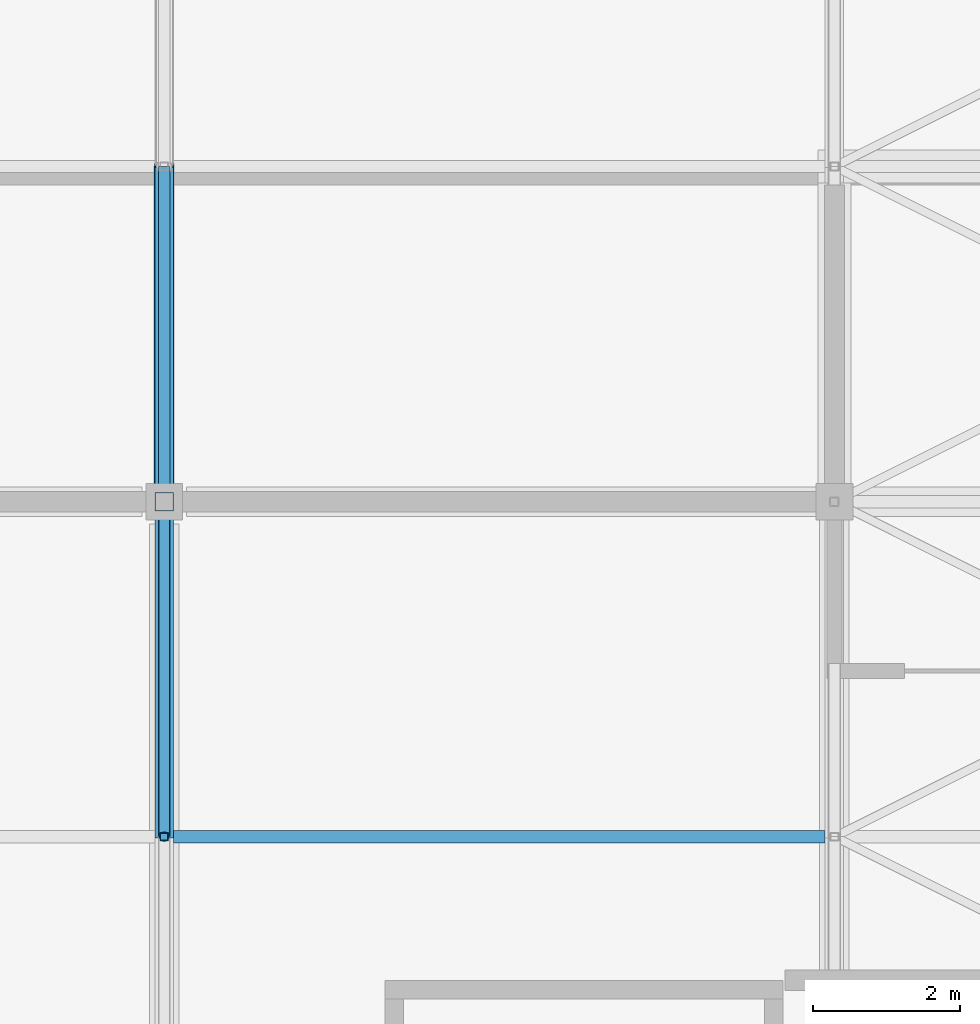
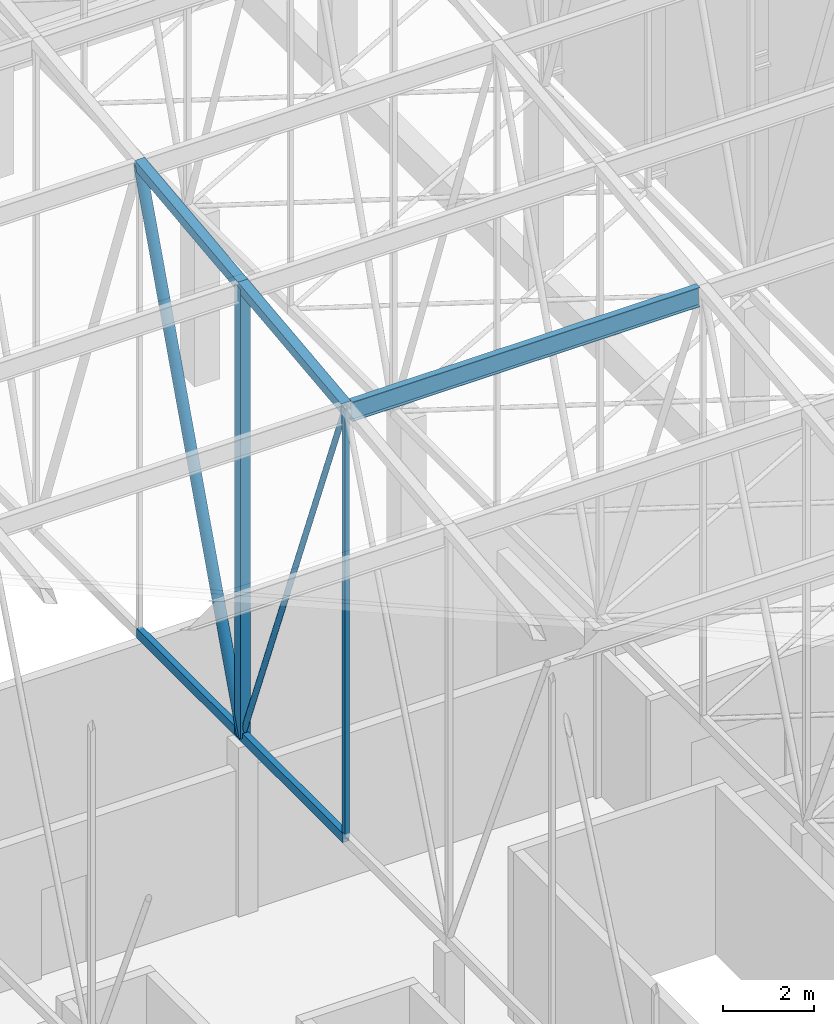
# One storey, part 351 of 500: 9 members.
"""IFC4 building model written with IfcOpenShell, lengths in metres."""

from ifc_helpers import new_model, si_unit, direction, frame, origin, origin_2d, place, context, subcontext, project, spatial, hollow_rectangle, hollow_circle, i_section, extrude, material, material_profile, profile_set, type_object, element, save


model = new_model("IFC4")

# Units and contexts
model_context = context("Model", 3, precision=1e-05, world=origin(), true_north=direction((0.0, 1.0)))
body_context = subcontext(model_context, "Body", "Model", "MODEL_VIEW")
ifc_project = project(units=[si_unit("LENGTHUNIT", "METRE"), si_unit("AREAUNIT", "SQUARE_METRE"), si_unit("VOLUMEUNIT", "CUBIC_METRE"), si_unit("PLANEANGLEUNIT", "RADIAN"), si_unit("MASSUNIT", "GRAM", prefix="KILO")], contexts=[model_context])

# Site, building, storey
site_placement = place(None, origin())
site = spatial("IfcSite", under=ifc_project, at=site_placement, CompositionType="ELEMENT")
building_placement = place(site_placement, origin())
building = spatial("IfcBuilding", under=site, at=building_placement, Name="Shirokan Park Arena", CompositionType="ELEMENT")
storey_placement = place(building_placement, frame((0.0, 0.0, 29.1201171875)))
storey = spatial("IfcBuildingStorey", under=building, at=storey_placement, Name="L06", CompositionType="ELEMENT", Elevation=29.1201171875)

# Members
ifc_material_1 = material(Name="Steel ASTM A500 Grade C", Category="steel")
ifc_material_profile_1 = material_profile(ifc_material_1, hollow_rectangle(XDim=0.152099609375, YDim=0.25390625, WallThickness=0.009521484375, at=origin_2d()), Name="HSS254X152.4X9.5")
ifc_profile_set_1 = profile_set([ifc_material_profile_1], Name="Steel ASTM A500 Grade C")
member_type_1 = type_object("IfcMemberType", Name="Bottom chord HSS254X152.4X9.5", PredefinedType="CHORD", material=ifc_profile_set_1)
member_1_placement = place(storey_placement, frame((127.39990234375, 31.85009765625, 4.677001953125), z_axis=(0.0, 1.0, 0.0), x_axis=(-1.0, 0.0, 0.0)))
element("IfcMember", 1, at=member_1_placement, inside=storey, type_object=member_type_1, Name="Truss T15 bottom chord 10", PredefinedType="CHORD", context=body_context, shape_type="SweptSolid", body=[
    extrude(hollow_rectangle(XDim=0.152099609375, YDim=0.25390625, WallThickness=0.009521484375, at=origin_2d()), origin(), (0.0, 0.0, 1.0), 4.5498046875),
])
member_2_placement = place(storey_placement, frame((127.39990234375, 36.39990234375, 4.677001953125), z_axis=(0.0, 1.0, 0.0), x_axis=(-1.0, 0.0, 0.0)))
element("IfcMember", 2, at=member_2_placement, inside=storey, type_object=member_type_1, Name="Truss T15 bottom chord 11", PredefinedType="CHORD", context=body_context, shape_type="SweptSolid", body=[
    extrude(hollow_rectangle(XDim=0.152099609375, YDim=0.25390625, WallThickness=0.009521484375, at=origin_2d()), origin(), (0.0, 0.0, 1.0), 4.550048828125),
])
ifc_material_2 = material(Name="Steel ASTM A992", Category="steel")
ifc_material_profile_2 = material_profile(ifc_material_2, i_section(OverallWidth=0.166015625, OverallDepth=0.528076171875, WebThickness=0.009765625, FlangeThickness=0.013671875, at=origin_2d()), Name="W530X74")
ifc_profile_set_2 = profile_set([ifc_material_profile_2], Name="Steel ASTM A992")
member_type_2 = type_object("IfcMemberType", Name="Purlin W530X74", PredefinedType="PURLIN", material=ifc_profile_set_2)
member_3_placement = place(storey_placement, frame((127.527099609375, 31.85009765625, 16.1259765625), z_axis=(1.0, 0.0, 0.0), x_axis=(0.0, 1.0, 0.0)))
element("IfcMember", 3, at=member_3_placement, inside=storey, type_object=member_type_2, Name="Purlin 10 bay 15", PredefinedType="PURLIN", context=body_context, shape_type="SweptSolid", body=[
    extrude(i_section(OverallWidth=0.166015625, OverallDepth=0.528076171875, WebThickness=0.009765625, FlangeThickness=0.013671875, at=origin_2d()), origin(), (0.0, 0.0, 1.0), 8.845947265625),
])
ifc_material_profile_3 = material_profile(ifc_material_1, hollow_rectangle(XDim=0.25390625, YDim=0.25390625, WallThickness=0.009521484375, at=origin_2d()), Name="HSS254X254X9.5")
ifc_profile_set_3 = profile_set([ifc_material_profile_3], Name="Steel ASTM A500 Grade C")
member_type_3 = type_object("IfcMemberType", Name="Top chord HSS254X254X9.5", PredefinedType="CHORD", material=ifc_profile_set_3)
member_4_placement = place(storey_placement, frame((127.39990234375, 31.85009765625, 16.262939453125), z_axis=(0.0, 0.993531641592, 0.11355561261), x_axis=(-1.0, 0.0, 0.0)))
element("IfcMember", 4, at=member_4_placement, inside=storey, type_object=member_type_3, Name="Truss T15 top chord 10", PredefinedType="CHORD", context=body_context, shape_type="SweptSolid", body=[
    extrude(hollow_rectangle(XDim=0.25390625, YDim=0.25390625, WallThickness=0.009521484375, at=origin_2d()), origin(), (0.0, 0.0, 1.0), 4.579345703125),
])
member_5_placement = place(storey_placement, frame((127.39990234375, 36.39990234375, 16.782958984375), z_axis=(0.0, 0.993532328996, 0.113549598152), x_axis=(-1.0, 0.0, 0.0)))
element("IfcMember", 5, at=member_5_placement, inside=storey, type_object=member_type_3, Name="Truss T15 top chord 11", PredefinedType="CHORD", context=body_context, shape_type="SweptSolid", body=[
    extrude(hollow_rectangle(XDim=0.25390625, YDim=0.25390625, WallThickness=0.009521484375, at=origin_2d()), origin(), (0.0, 0.0, 1.0), 4.57958984375),
])
ifc_material_profile_4 = material_profile(ifc_material_1, hollow_circle(Radius=0.070556640625, WallThickness=0.006591796875, at=origin_2d()), Name="HSS141.3X6.6")
ifc_profile_set_4 = profile_set([ifc_material_profile_4], Name="Steel ASTM A500 Grade C")
member_type_4 = type_object("IfcMemberType", Name="Truss diagonal HSS141.3X6.6", PredefinedType="BRACE", material=ifc_profile_set_4)
member_6_placement = place(storey_placement, frame((127.39990234375, 31.85009765625, 16.262939453125), z_axis=(0.0, 0.365526146051, -0.930801072493), x_axis=(-1.0, 0.0, 0.0)))
element("IfcMember", 6, at=member_6_placement, inside=storey, type_object=member_type_4, Name="Truss T15 diagonal 10", PredefinedType="BRACE", context=body_context, shape_type="SweptSolid", body=[
    extrude(hollow_circle(Radius=0.070556640625, WallThickness=0.006591796875, at=origin_2d()), origin(), (0.0, 0.0, 1.0), 12.447265625),
])
ifc_material_profile_5 = material_profile(ifc_material_1, hollow_circle(Radius=0.136474609375, WallThickness=0.009521484375, at=origin_2d()), Name="HSS273.1X9.5")
ifc_profile_set_5 = profile_set([ifc_material_profile_5], Name="Steel ASTM A500 Grade C")
member_type_5 = type_object("IfcMemberType", Name="Truss diagonal HSS273.1X9.5", PredefinedType="BRACE", material=ifc_profile_set_5)
member_7_placement = place(storey_placement, frame((127.39990234375, 36.39990234375, 4.677001953125), z_axis=(0.0, 0.339029292845, 0.940775817394), x_axis=(-1.0, 0.0, 0.0)))
element("IfcMember", 7, at=member_7_placement, inside=storey, type_object=member_type_5, Name="Truss T15 diagonal 11", PredefinedType="BRACE", context=body_context, shape_type="SweptSolid", body=[
    extrude(hollow_circle(Radius=0.136474609375, WallThickness=0.009521484375, at=origin_2d()), origin(), (0.0, 0.0, 1.0), 13.4208984375),
])
ifc_material_profile_6 = material_profile(ifc_material_1, hollow_rectangle(XDim=0.114013671875, YDim=0.114013671875, WallThickness=0.00634765625, at=origin_2d()), Name="HSS114.3X114.3X6.4")
ifc_profile_set_6 = profile_set([ifc_material_profile_6], Name="Steel ASTM A500 Grade C")
member_type_6 = type_object("IfcMemberType", Name="Truss post HSS114.3X114.3X6.4", PredefinedType="POST", material=ifc_profile_set_6)
member_8_placement = place(storey_placement, frame((127.39990234375, 31.85009765625, 4.677001953125), z_axis=(0.0, 0.0, 1.0), x_axis=(1.0, 0.0, 0.0)))
element("IfcMember", 8, at=member_8_placement, inside=storey, type_object=member_type_6, Name="Truss T15 post 10", PredefinedType="POST", context=body_context, shape_type="SweptSolid", body=[
    extrude(hollow_rectangle(XDim=0.114013671875, YDim=0.114013671875, WallThickness=0.00634765625, at=origin_2d()), origin(), (0.0, 0.0, 1.0), 11.5859375),
])
ifc_material_profile_7 = material_profile(ifc_material_1, hollow_rectangle(XDim=0.25390625, YDim=0.25390625, WallThickness=0.009521484375, at=origin_2d()), Name="HSS254X254X9.5")
ifc_profile_set_7 = profile_set([ifc_material_profile_7], Name="Steel ASTM A500 Grade C")
member_type_7 = type_object("IfcMemberType", Name="Truss post HSS254X254X9.5", PredefinedType="POST", material=ifc_profile_set_7)
member_9_placement = place(storey_placement, frame((127.39990234375, 36.39990234375, 4.677001953125), z_axis=(0.0, 0.0, 1.0), x_axis=(1.0, 0.0, 0.0)))
element("IfcMember", 9, at=member_9_placement, inside=storey, type_object=member_type_7, Name="Truss T15 post 11", PredefinedType="POST", context=body_context, shape_type="SweptSolid", body=[
    extrude(hollow_rectangle(XDim=0.25390625, YDim=0.25390625, WallThickness=0.009521484375, at=origin_2d()), origin(), (0.0, 0.0, 1.0), 12.10595703125),
])

save(model, "model.ifc")
